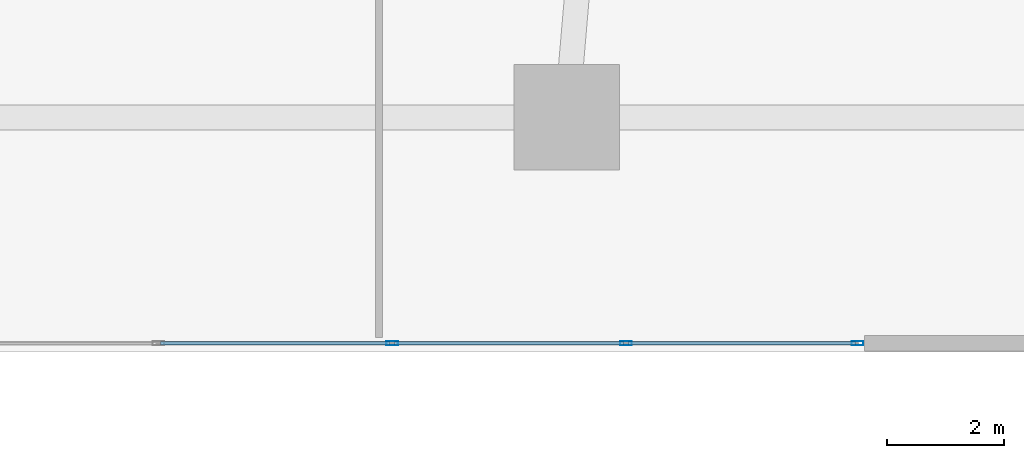
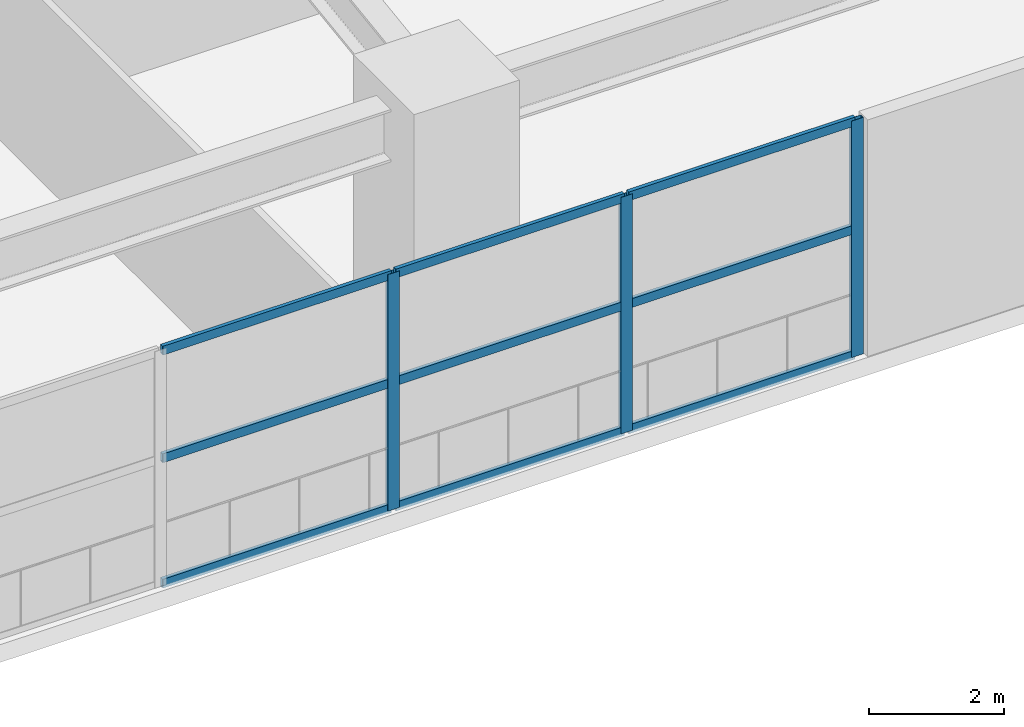
# One storey, part 5 of 25: 12 members, 1 element without a shape of its own.
"""IFC4 building model written with IfcOpenShell, lengths in metres."""

from ifc_helpers import new_model, si_unit, direction, frame, origin, origin_2d, place, context, subcontext, project, spatial, hollow_rectangle, extrude, material, layer, layer_set, material_profile, profile_set, type_object, element, aggregate, save


model = new_model("IFC4")

# Units and contexts
model_context = context("Model", 3, precision=1e-05, world=origin(), true_north=direction((0.0, 1.0)))
body_context = subcontext(model_context, "Body", "Model", "MODEL_VIEW")
ifc_project = project(units=[si_unit("LENGTHUNIT", "METRE"), si_unit("AREAUNIT", "SQUARE_METRE"), si_unit("VOLUMEUNIT", "CUBIC_METRE"), si_unit("PLANEANGLEUNIT", "RADIAN"), si_unit("MASSUNIT", "GRAM", prefix="KILO")], contexts=[model_context])

# Site, building, storey
site_placement = place(None, origin())
site = spatial("IfcSite", under=ifc_project, at=site_placement, CompositionType="ELEMENT")
building_placement = place(site_placement, origin())
building = spatial("IfcBuilding", under=site, at=building_placement, Name="Solvane Sanctuary Tower", CompositionType="ELEMENT")
storey_placement = place(building_placement, frame((0.0, 0.0, 4.60009765625)))
storey = spatial("IfcBuildingStorey", under=building, at=storey_placement, Name="L02", CompositionType="ELEMENT", Elevation=4.60009765625)

# Curtain wall, members
ifc_material = material(Name="Anodised Aluminium 6063-T6", Category="aluminium")
ifc_layer = layer(ifc_material, 0.159912109375, Name="Anodised Aluminium 6063-T6")
ifc_layer_set = layer_set([ifc_layer], Name="Anodised Aluminium 6063-T6")
curtain_wall_type = type_object("IfcCurtainWallType", Name="Curtain Wall CW-POD", PredefinedType="NOTDEFINED", material=ifc_layer_set)
curtain_wall_placement = place(storey_placement, origin())
curtain_wall = element("IfcCurtainWall", 1, at=curtain_wall_placement, inside=storey, type_object=curtain_wall_type, Name="L02 Sanctuary Curtain Wall S2", PredefinedType="NOTDEFINED")
ifc_material_profile_1 = material_profile(ifc_material, hollow_rectangle(XDim=0.074951171875, YDim=0.199951171875, WallThickness=0.00390625, at=origin_2d()), Name="ALU200X75X4")
ifc_profile_set_1 = profile_set([ifc_material_profile_1], Name="Anodised Aluminium 6063-T6")
member_type_1 = type_object("IfcMemberType", Name="Member M-CW-MUL-1 ALU200X75X4", PredefinedType="MULLION", material=ifc_profile_set_1)
member_1_placement = place(storey_placement, frame((36.026611328125, 0.14990234375, 0.0), z_axis=(0.0, 0.0, 1.0), x_axis=(0.0, 1.0, 0.0)))
member_1 = element("IfcMember", 2, at=member_1_placement, type_object=member_type_1, Name="CW-POD mullion 5", PredefinedType="MULLION", context=body_context, shape_type="SweptSolid", body=[
    extrude(hollow_rectangle(XDim=0.074951171875, YDim=0.199951171875, WallThickness=0.00390625, at=origin_2d()), origin(), (0.0, 0.0, 1.0), 4.27978515625),
])
member_2_placement = place(storey_placement, frame((40.013427734375, 0.14990234375, 0.0), z_axis=(0.0, 0.0, 1.0), x_axis=(0.0, 1.0, 0.0)))
member_2 = element("IfcMember", 3, at=member_2_placement, type_object=member_type_1, Name="CW-POD mullion 6", PredefinedType="MULLION", context=body_context, shape_type="SweptSolid", body=[
    extrude(hollow_rectangle(XDim=0.074951171875, YDim=0.199951171875, WallThickness=0.00390625, at=origin_2d()), origin(), (0.0, 0.0, 1.0), 4.27978515625),
])
member_3_placement = place(storey_placement, frame((43.96240234375, 0.14990234375, 0.0), z_axis=(0.0, 0.0, 1.0), x_axis=(0.0, 1.0, 0.0)))
member_3 = element("IfcMember", 4, at=member_3_placement, type_object=member_type_1, Name="CW-POD mullion 7", PredefinedType="MULLION", context=body_context, shape_type="SweptSolid", body=[
    extrude(hollow_rectangle(XDim=0.074951171875, YDim=0.199951171875, WallThickness=0.00390625, at=origin_2d()), origin(), (0.0, 0.0, 1.0), 4.27978515625),
])
ifc_material_profile_2 = material_profile(ifc_material, hollow_rectangle(XDim=0.06494140625, YDim=0.159912109375, WallThickness=0.00341796875, at=origin_2d()), Name="ALU160X65X3.5")
ifc_profile_set_2 = profile_set([ifc_material_profile_2], Name="Anodised Aluminium 6063-T6")
member_type_2 = type_object("IfcMemberType", Name="Member M-CW-TRN-1 ALU160X65X3.5", PredefinedType="USERDEFINED", material=ifc_profile_set_2)
member_4_placement = place(storey_placement, frame((32.077392578125, 0.14990234375, 0.032470703125), z_axis=(1.0, 0.0, 0.0), x_axis=(0.0, 1.0, 0.0)))
member_4 = element("IfcMember", 5, at=member_4_placement, type_object=member_type_2, Name="CW-POD transom 4.1", ObjectType="TRANSOM", PredefinedType="USERDEFINED", context=body_context, shape_type="SweptSolid", body=[
    extrude(hollow_rectangle(XDim=0.06494140625, YDim=0.159912109375, WallThickness=0.00341796875, at=origin_2d()), origin(), (0.0, 0.0, 1.0), 3.911865234375),
])
member_5_placement = place(storey_placement, frame((32.077392578125, 0.14990234375, 2.2998046875), z_axis=(1.0, 0.0, 0.0), x_axis=(0.0, 1.0, 0.0)))
member_5 = element("IfcMember", 6, at=member_5_placement, type_object=member_type_2, Name="CW-POD transom 4.2", ObjectType="TRANSOM", PredefinedType="USERDEFINED", context=body_context, shape_type="SweptSolid", body=[
    extrude(hollow_rectangle(XDim=0.06494140625, YDim=0.159912109375, WallThickness=0.00341796875, at=origin_2d()), origin(), (0.0, 0.0, 1.0), 3.911865234375),
])
member_6_placement = place(storey_placement, frame((32.077392578125, 0.14990234375, 4.247314453125), z_axis=(1.0, 0.0, 0.0), x_axis=(0.0, 1.0, 0.0)))
member_6 = element("IfcMember", 7, at=member_6_placement, type_object=member_type_2, Name="CW-POD transom 4.3", ObjectType="TRANSOM", PredefinedType="USERDEFINED", context=body_context, shape_type="SweptSolid", body=[
    extrude(hollow_rectangle(XDim=0.06494140625, YDim=0.159912109375, WallThickness=0.00341796875, at=origin_2d()), origin(), (0.0, 0.0, 1.0), 3.911865234375),
])
member_7_placement = place(storey_placement, frame((36.064208984375, 0.14990234375, 0.032470703125), z_axis=(1.0, 0.0, 0.0), x_axis=(0.0, 1.0, 0.0)))
member_7 = element("IfcMember", 8, at=member_7_placement, type_object=member_type_2, Name="CW-POD transom 5.1", ObjectType="TRANSOM", PredefinedType="USERDEFINED", context=body_context, shape_type="SweptSolid", body=[
    extrude(hollow_rectangle(XDim=0.06494140625, YDim=0.159912109375, WallThickness=0.00341796875, at=origin_2d()), origin(), (0.0, 0.0, 1.0), 3.91162109375),
])
member_8_placement = place(storey_placement, frame((36.064208984375, 0.14990234375, 2.2998046875), z_axis=(1.0, 0.0, 0.0), x_axis=(0.0, 1.0, 0.0)))
member_8 = element("IfcMember", 9, at=member_8_placement, type_object=member_type_2, Name="CW-POD transom 5.2", ObjectType="TRANSOM", PredefinedType="USERDEFINED", context=body_context, shape_type="SweptSolid", body=[
    extrude(hollow_rectangle(XDim=0.06494140625, YDim=0.159912109375, WallThickness=0.00341796875, at=origin_2d()), origin(), (0.0, 0.0, 1.0), 3.91162109375),
])
member_9_placement = place(storey_placement, frame((36.064208984375, 0.14990234375, 4.247314453125), z_axis=(1.0, 0.0, 0.0), x_axis=(0.0, 1.0, 0.0)))
member_9 = element("IfcMember", 10, at=member_9_placement, type_object=member_type_2, Name="CW-POD transom 5.3", ObjectType="TRANSOM", PredefinedType="USERDEFINED", context=body_context, shape_type="SweptSolid", body=[
    extrude(hollow_rectangle(XDim=0.06494140625, YDim=0.159912109375, WallThickness=0.00341796875, at=origin_2d()), origin(), (0.0, 0.0, 1.0), 3.91162109375),
])
member_10_placement = place(storey_placement, frame((40.05078125, 0.14990234375, 0.032470703125), z_axis=(1.0, 0.0, 0.0), x_axis=(0.0, 1.0, 0.0)))
member_10 = element("IfcMember", 11, at=member_10_placement, type_object=member_type_2, Name="CW-POD transom 6.1", ObjectType="TRANSOM", PredefinedType="USERDEFINED", context=body_context, shape_type="SweptSolid", body=[
    extrude(hollow_rectangle(XDim=0.06494140625, YDim=0.159912109375, WallThickness=0.00341796875, at=origin_2d()), origin(), (0.0, 0.0, 1.0), 3.874267578125),
])
member_11_placement = place(storey_placement, frame((40.05078125, 0.14990234375, 2.2998046875), z_axis=(1.0, 0.0, 0.0), x_axis=(0.0, 1.0, 0.0)))
member_11 = element("IfcMember", 12, at=member_11_placement, type_object=member_type_2, Name="CW-POD transom 6.2", ObjectType="TRANSOM", PredefinedType="USERDEFINED", context=body_context, shape_type="SweptSolid", body=[
    extrude(hollow_rectangle(XDim=0.06494140625, YDim=0.159912109375, WallThickness=0.00341796875, at=origin_2d()), origin(), (0.0, 0.0, 1.0), 3.874267578125),
])
member_12_placement = place(storey_placement, frame((40.05078125, 0.14990234375, 4.247314453125), z_axis=(1.0, 0.0, 0.0), x_axis=(0.0, 1.0, 0.0)))
member_12 = element("IfcMember", 13, at=member_12_placement, type_object=member_type_2, Name="CW-POD transom 6.3", ObjectType="TRANSOM", PredefinedType="USERDEFINED", context=body_context, shape_type="SweptSolid", body=[
    extrude(hollow_rectangle(XDim=0.06494140625, YDim=0.159912109375, WallThickness=0.00341796875, at=origin_2d()), origin(), (0.0, 0.0, 1.0), 3.874267578125),
])
aggregate(curtain_wall, [member_1, member_2, member_3, member_4, member_5, member_6, member_7, member_8, member_9, member_10, member_11, member_12])

save(model, "model.ifc")
